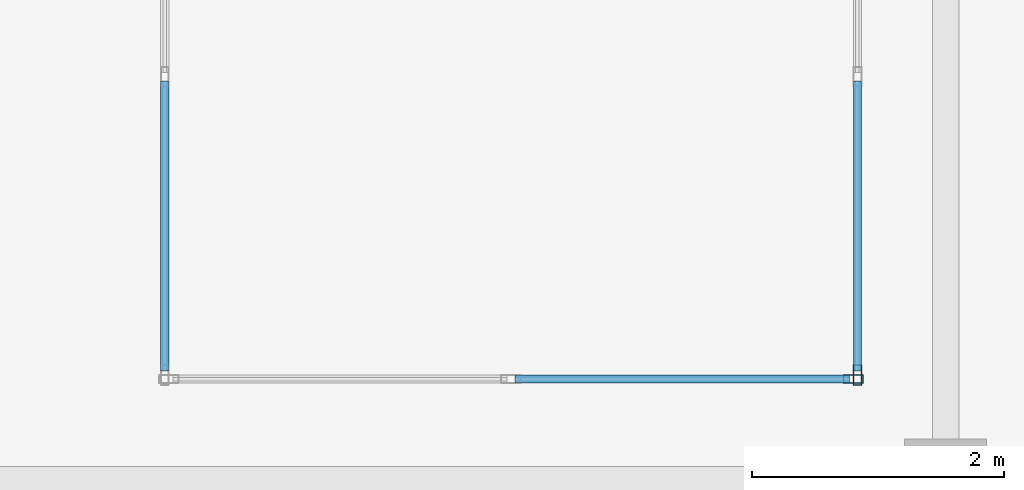
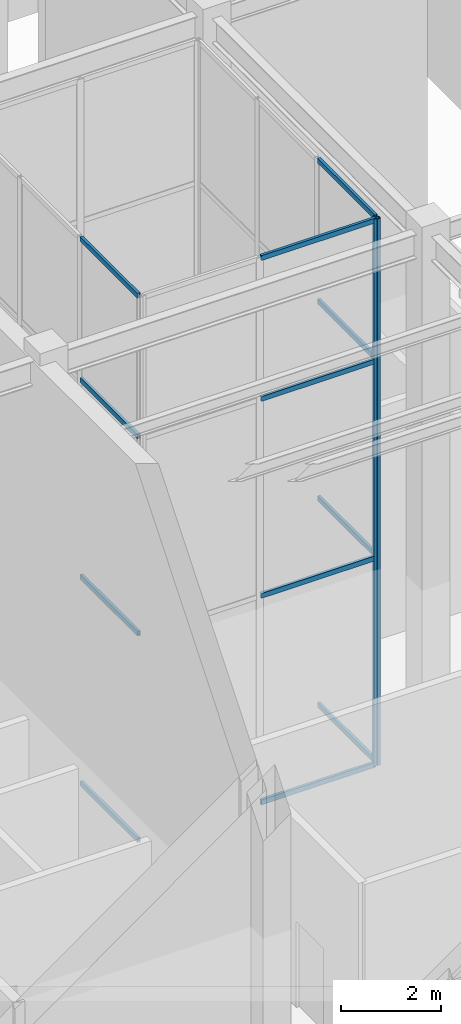
# One storey, part 3 of 15: 14 members, 3 elements without a shape of their own.
"""IFC4 building model written with IfcOpenShell, lengths in metres."""

from ifc_helpers import new_model, si_unit, direction, frame, origin, origin_2d, place, context, subcontext, project, spatial, hollow_rectangle, extrude, material, layer, layer_set, material_profile, profile_set, type_object, element, aggregate, save


model = new_model("IFC4")

# Units and contexts
model_context = context("Model", 3, precision=1e-05, world=origin(), true_north=direction((0.0, 1.0)))
body_context = subcontext(model_context, "Body", "Model", "MODEL_VIEW")
ifc_project = project(units=[si_unit("LENGTHUNIT", "METRE"), si_unit("AREAUNIT", "SQUARE_METRE"), si_unit("VOLUMEUNIT", "CUBIC_METRE"), si_unit("PLANEANGLEUNIT", "RADIAN"), si_unit("MASSUNIT", "GRAM", prefix="KILO")], contexts=[model_context])

# Site, building, storey
site_placement = place(None, origin())
site = spatial("IfcSite", under=ifc_project, at=site_placement, CompositionType="ELEMENT")
building_placement = place(site_placement, origin())
building = spatial("IfcBuilding", under=site, at=building_placement, Name="Kundavana Baori Tower", CompositionType="ELEMENT")
storey_placement = place(building_placement, frame((0.0, 0.0, 354.699951171875)))
storey = spatial("IfcBuildingStorey", under=building, at=storey_placement, Name="L88", CompositionType="ELEMENT", Elevation=354.699951171875)

# Curtain wall, member
ifc_material_1 = material(Name="Thermally Broken Anodised Aluminium Framing", Category="aluminium")
ifc_layer = layer(ifc_material_1, 0.25, Name="CW-SYS-7")
ifc_layer_set = layer_set([ifc_layer], Name="Thermally Broken Anodised Aluminium Framing")
curtain_wall_type = type_object("IfcCurtainWallType", Name="CW-SYS-7", PredefinedType="NOTDEFINED", material=ifc_layer_set)
curtain_wall_1_placement = place(storey_placement, origin())
curtain_wall_1 = element("IfcCurtainWall", 1, at=curtain_wall_1_placement, inside=storey, type_object=curtain_wall_type, Name="L88 Atrium Glazed Curtain Wall S", PredefinedType="NOTDEFINED")
ifc_material_2 = material(Name="Thermally Broken Anodised Aluminium Framing", Category="aluminium")
ifc_material_profile_1 = material_profile(ifc_material_2, hollow_rectangle(XDim=0.06494140625, YDim=0.159912109375, WallThickness=0.00390625, at=origin_2d()), Name="CW-MULL-160")
ifc_profile_set_1 = profile_set([ifc_material_profile_1], Name="Thermally Broken Anodised Aluminium Framing")
member_type_1 = type_object("IfcMemberType", Name="CW-MULL-160", PredefinedType="MULLION", material=ifc_profile_set_1)
member_1_placement = place(storey_placement, frame((33.0673828125, 25.0, 0.0), z_axis=(0.0, 0.0, 1.0), x_axis=(0.0, 1.0, 0.0)))
member_1 = element("IfcMember", 2, at=member_1_placement, type_object=member_type_1, Name="CW7 mullion 3", PredefinedType="MULLION", context=body_context, shape_type="SweptSolid", body=[
    extrude(hollow_rectangle(XDim=0.06494140625, YDim=0.159912109375, WallThickness=0.00390625, at=origin_2d()), origin(), (0.0, 0.0, 1.0), 13.400146484375),
])

curtain_wall_2_placement = place(storey_placement, origin())
curtain_wall_2 = element("IfcCurtainWall", 3, at=curtain_wall_2_placement, inside=storey, type_object=curtain_wall_type, Name="L88 Atrium Glazed Curtain Wall E", PredefinedType="NOTDEFINED")
member_2_placement = place(storey_placement, frame((33.10009765625, 25.032470703125, 0.0), z_axis=(0.0, 0.0, 1.0), x_axis=(-1.0, 0.0, 0.0)))
member_2 = element("IfcMember", 4, at=member_2_placement, type_object=member_type_1, Name="CW7 mullion 1", PredefinedType="MULLION", context=body_context, shape_type="SweptSolid", body=[
    extrude(hollow_rectangle(XDim=0.06494140625, YDim=0.159912109375, WallThickness=0.00390625, at=origin_2d()), origin(), (0.0, 0.0, 1.0), 13.400146484375),
])

# Member
ifc_material_3 = material(Name="Thermally Broken Anodised Aluminium Framing", Category="aluminium")
ifc_material_profile_2 = material_profile(ifc_material_3, hollow_rectangle(XDim=0.06494140625, YDim=0.1201171875, WallThickness=0.00390625, at=origin_2d()), Name="CW-TRAN-120")
ifc_profile_set_2 = profile_set([ifc_material_profile_2], Name="Thermally Broken Anodised Aluminium Framing")
member_type_2 = type_object("IfcMemberType", Name="CW-TRAN-120", PredefinedType="USERDEFINED", material=ifc_profile_set_2)
member_3_placement = place(storey_placement, frame((30.382568359375, 25.0, 0.032470703125), z_axis=(1.0, 0.0, 0.0), x_axis=(0.0, 1.0, 0.0)))
member_3 = element("IfcMember", 5, at=member_3_placement, type_object=member_type_2, Name="CW7 transom 2.1", ObjectType="TRANSOM", PredefinedType="USERDEFINED", context=body_context, shape_type="SweptSolid", body=[
    extrude(hollow_rectangle(XDim=0.06494140625, YDim=0.1201171875, WallThickness=0.00390625, at=origin_2d()), origin(), (0.0, 0.0, 1.0), 2.65234375),
])

member_4_placement = place(storey_placement, frame((30.382568359375, 25.0, 5.092041015625), z_axis=(1.0, 0.0, 0.0), x_axis=(0.0, 1.0, 0.0)))
member_4 = element("IfcMember", 6, at=member_4_placement, type_object=member_type_2, Name="CW7 transom 2.2", ObjectType="TRANSOM", PredefinedType="USERDEFINED", context=body_context, shape_type="SweptSolid", body=[
    extrude(hollow_rectangle(XDim=0.06494140625, YDim=0.1201171875, WallThickness=0.00390625, at=origin_2d()), origin(), (0.0, 0.0, 1.0), 2.65234375),
])

member_5_placement = place(storey_placement, frame((30.382568359375, 25.0, 9.916015625), z_axis=(1.0, 0.0, 0.0), x_axis=(0.0, 1.0, 0.0)))
member_5 = element("IfcMember", 7, at=member_5_placement, type_object=member_type_2, Name="CW7 transom 2.3", ObjectType="TRANSOM", PredefinedType="USERDEFINED", context=body_context, shape_type="SweptSolid", body=[
    extrude(hollow_rectangle(XDim=0.06494140625, YDim=0.1201171875, WallThickness=0.00390625, at=origin_2d()), origin(), (0.0, 0.0, 1.0), 2.65234375),
])

member_6_placement = place(storey_placement, frame((30.382568359375, 25.0, 13.367431640625), z_axis=(1.0, 0.0, 0.0), x_axis=(0.0, 1.0, 0.0)))
member_6 = element("IfcMember", 8, at=member_6_placement, type_object=member_type_2, Name="CW7 transom 2.4", ObjectType="TRANSOM", PredefinedType="USERDEFINED", context=body_context, shape_type="SweptSolid", body=[
    extrude(hollow_rectangle(XDim=0.06494140625, YDim=0.1201171875, WallThickness=0.00390625, at=origin_2d()), origin(), (0.0, 0.0, 1.0), 2.65234375),
])

aggregate(curtain_wall_1, [member_1, member_3, member_4, member_5, member_6])

member_7_placement = place(storey_placement, frame((33.10009765625, 25.06494140625, 0.032470703125), z_axis=(0.0, 1.0, 0.0), x_axis=(-1.0, 0.0, 0.0)))
member_7 = element("IfcMember", 9, at=member_7_placement, type_object=member_type_2, Name="CW7 transom 1.1", ObjectType="TRANSOM", PredefinedType="USERDEFINED", context=body_context, shape_type="SweptSolid", body=[
    extrude(hollow_rectangle(XDim=0.06494140625, YDim=0.1201171875, WallThickness=0.00390625, at=origin_2d()), origin(), (0.0, 0.0, 1.0), 2.302490234375),
])

member_8_placement = place(storey_placement, frame((33.10009765625, 25.06494140625, 5.092041015625), z_axis=(0.0, 1.0, 0.0), x_axis=(-1.0, 0.0, 0.0)))
member_8 = element("IfcMember", 10, at=member_8_placement, type_object=member_type_2, Name="CW7 transom 1.2", ObjectType="TRANSOM", PredefinedType="USERDEFINED", context=body_context, shape_type="SweptSolid", body=[
    extrude(hollow_rectangle(XDim=0.06494140625, YDim=0.1201171875, WallThickness=0.00390625, at=origin_2d()), origin(), (0.0, 0.0, 1.0), 2.302490234375),
])

member_9_placement = place(storey_placement, frame((33.10009765625, 25.06494140625, 9.916015625), z_axis=(0.0, 1.0, 0.0), x_axis=(-1.0, 0.0, 0.0)))
member_9 = element("IfcMember", 11, at=member_9_placement, type_object=member_type_2, Name="CW7 transom 1.3", ObjectType="TRANSOM", PredefinedType="USERDEFINED", context=body_context, shape_type="SweptSolid", body=[
    extrude(hollow_rectangle(XDim=0.06494140625, YDim=0.1201171875, WallThickness=0.00390625, at=origin_2d()), origin(), (0.0, 0.0, 1.0), 2.302490234375),
])

member_10_placement = place(storey_placement, frame((33.10009765625, 25.06494140625, 13.367431640625), z_axis=(0.0, 1.0, 0.0), x_axis=(-1.0, 0.0, 0.0)))
member_10 = element("IfcMember", 12, at=member_10_placement, type_object=member_type_2, Name="CW7 transom 1.4", ObjectType="TRANSOM", PredefinedType="USERDEFINED", context=body_context, shape_type="SweptSolid", body=[
    extrude(hollow_rectangle(XDim=0.06494140625, YDim=0.1201171875, WallThickness=0.00390625, at=origin_2d()), origin(), (0.0, 0.0, 1.0), 2.302490234375),
])

aggregate(curtain_wall_2, [member_2, member_7, member_8, member_9, member_10])

# Curtain wall, members
curtain_wall_3_placement = place(storey_placement, origin())
curtain_wall_3 = element("IfcCurtainWall", 13, at=curtain_wall_3_placement, inside=storey, type_object=curtain_wall_type, Name="L88 Atrium Glazed Curtain Wall W", PredefinedType="NOTDEFINED")
member_11_placement = place(storey_placement, frame((27.60009765625, 27.367431640625, 0.032470703125), z_axis=(0.0, -1.0, 0.0), x_axis=(1.0, 0.0, 0.0)))
member_11 = element("IfcMember", 14, at=member_11_placement, type_object=member_type_2, Name="CW7 transom 3.1", ObjectType="TRANSOM", PredefinedType="USERDEFINED", context=body_context, shape_type="SweptSolid", body=[
    extrude(hollow_rectangle(XDim=0.06494140625, YDim=0.1201171875, WallThickness=0.00390625, at=origin_2d()), origin(), (0.0, 0.0, 1.0), 2.302490234375),
])
member_12_placement = place(storey_placement, frame((27.60009765625, 27.367431640625, 5.092041015625), z_axis=(0.0, -1.0, 0.0), x_axis=(1.0, 0.0, 0.0)))
member_12 = element("IfcMember", 15, at=member_12_placement, type_object=member_type_2, Name="CW7 transom 3.2", ObjectType="TRANSOM", PredefinedType="USERDEFINED", context=body_context, shape_type="SweptSolid", body=[
    extrude(hollow_rectangle(XDim=0.06494140625, YDim=0.1201171875, WallThickness=0.00390625, at=origin_2d()), origin(), (0.0, 0.0, 1.0), 2.302490234375),
])
member_13_placement = place(storey_placement, frame((27.60009765625, 27.367431640625, 9.916015625), z_axis=(0.0, -1.0, 0.0), x_axis=(1.0, 0.0, 0.0)))
member_13 = element("IfcMember", 16, at=member_13_placement, type_object=member_type_2, Name="CW7 transom 3.3", ObjectType="TRANSOM", PredefinedType="USERDEFINED", context=body_context, shape_type="SweptSolid", body=[
    extrude(hollow_rectangle(XDim=0.06494140625, YDim=0.1201171875, WallThickness=0.00390625, at=origin_2d()), origin(), (0.0, 0.0, 1.0), 2.302490234375),
])
member_14_placement = place(storey_placement, frame((27.60009765625, 27.367431640625, 13.367431640625), z_axis=(0.0, -1.0, 0.0), x_axis=(1.0, 0.0, 0.0)))
member_14 = element("IfcMember", 17, at=member_14_placement, type_object=member_type_2, Name="CW7 transom 3.4", ObjectType="TRANSOM", PredefinedType="USERDEFINED", context=body_context, shape_type="SweptSolid", body=[
    extrude(hollow_rectangle(XDim=0.06494140625, YDim=0.1201171875, WallThickness=0.00390625, at=origin_2d()), origin(), (0.0, 0.0, 1.0), 2.302490234375),
])
aggregate(curtain_wall_3, [member_11, member_12, member_13, member_14])

save(model, "model.ifc")
